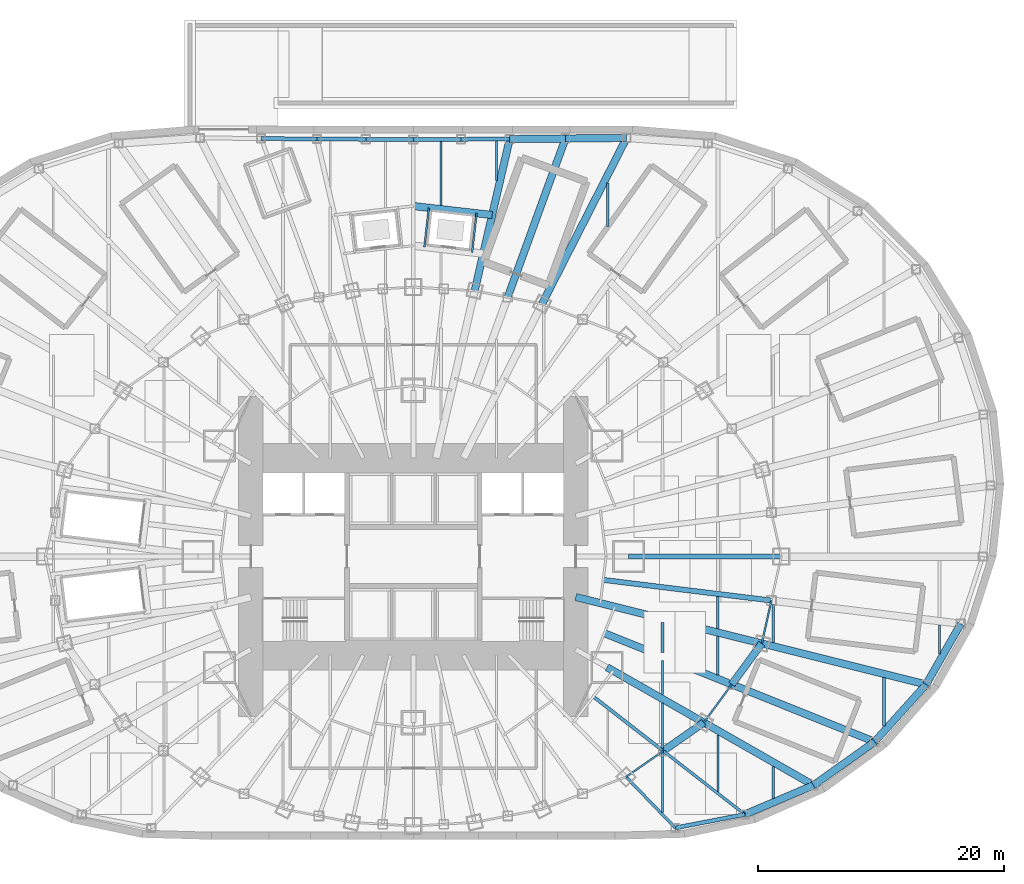
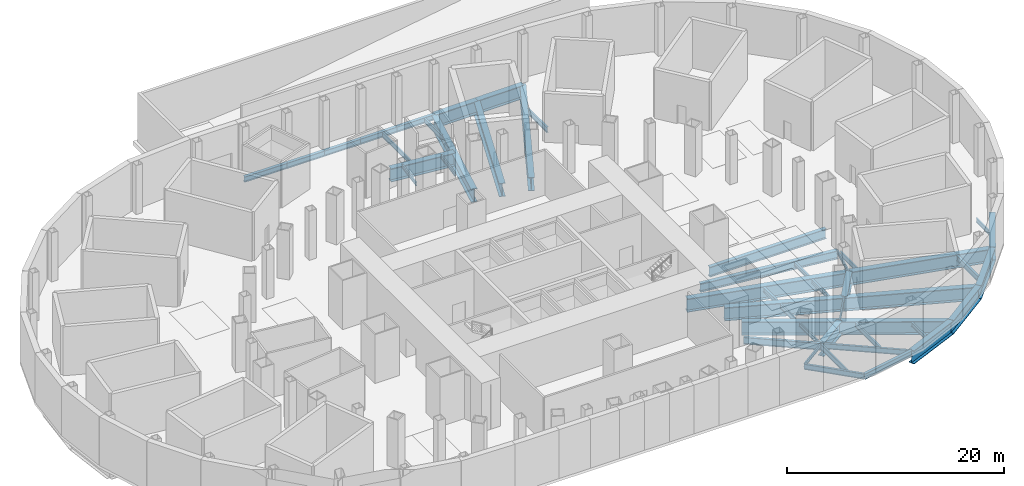
# One storey, part 7 of 19: 48 beams.
"""IFC4 building model written with IfcOpenShell, lengths in metres."""

from ifc_helpers import new_model, si_unit, direction, frame, origin, origin_2d, place, context, subcontext, project, spatial, i_section, extrude, material, material_profile, profile_set, type_object, element, save


model = new_model("IFC4")

# Units and contexts
model_context = context("Model", 3, precision=1e-05, world=origin(), true_north=direction((0.0, 1.0)))
body_context = subcontext(model_context, "Body", "Model", "MODEL_VIEW")
ifc_project = project(units=[si_unit("LENGTHUNIT", "METRE"), si_unit("AREAUNIT", "SQUARE_METRE"), si_unit("VOLUMEUNIT", "CUBIC_METRE"), si_unit("PLANEANGLEUNIT", "RADIAN"), si_unit("MASSUNIT", "GRAM", prefix="KILO")], contexts=[model_context])

# Site, building, storey
site_placement = place(None, origin())
site = spatial("IfcSite", under=ifc_project, at=site_placement, CompositionType="ELEMENT")
building_placement = place(site_placement, origin())
building = spatial("IfcBuilding", under=site, at=building_placement, Name="Lantaw Convention Tower", CompositionType="ELEMENT")
storey_placement = place(building_placement, frame((0.0, 0.0, -5.5)))
storey = spatial("IfcBuildingStorey", under=building, at=storey_placement, Name="B1", CompositionType="ELEMENT", Elevation=-5.5)

# Beams
ifc_material_1 = material(Name="Steel ASTM A572 Grade 50", Category="steel")
ifc_material_profile_1 = material_profile(ifc_material_1, i_section(OverallWidth=0.60009765625, OverallDepth=1.5, WebThickness=0.02490234375, FlangeThickness=0.06005859375, at=origin_2d()), Name="PG1500X600X25X60")
ifc_profile_set_1 = profile_set([ifc_material_profile_1], Name="Steel ASTM A572 Grade 50")
beam_type_1 = type_object("IfcBeamType", Name="Beam E PG1500X600X25X60", PredefinedType="SPANDREL", material=ifc_profile_set_1)
beam_1_placement = place(storey_placement, frame((20.308837890625, -15.794189453125, -1.050048828125), z_axis=(0.81942291701, 0.57318939547, 0.0), x_axis=(-0.57318939547, 0.81942291701, 0.0)))
element("IfcBeam", 1, at=beam_1_placement, inside=storey, type_object=beam_type_1, Name="Edge beam 22", PredefinedType="SPANDREL", context=body_context, shape_type="SweptSolid", body=[
    extrude(i_section(OverallWidth=0.60009765625, OverallDepth=1.5, WebThickness=0.02490234375, FlangeThickness=0.06005859375, at=origin_2d()), origin(), (0.0, 0.0, 1.0), 4.0224609375),
])
beam_2_placement = place(storey_placement, frame((25.8779296875, -10.388427734375, -1.050048828125), z_axis=(0.591255937291, 0.806483984105, 0.0), x_axis=(-0.806483984105, 0.591255937291, 0.0)))
element("IfcBeam", 2, at=beam_2_placement, inside=storey, type_object=beam_type_1, Name="Edge beam 23", PredefinedType="SPANDREL", context=body_context, shape_type="SweptSolid", body=[
    extrude(i_section(OverallWidth=0.60009765625, OverallDepth=1.5, WebThickness=0.02490234375, FlangeThickness=0.06005859375, at=origin_2d()), origin(), (0.0, 0.0, 1.0), 4.126708984375),
])
beam_3_placement = place(storey_placement, frame((17.333984375, 34.019775390625, -1.050048828125), z_axis=(-0.999942166471, -0.010754706535, 0.0), x_axis=(0.010754706535, -0.999942166471, 0.0)))
element("IfcBeam", 3, at=beam_3_placement, inside=storey, type_object=beam_type_1, Name="Podium edge beam R04", PredefinedType="SPANDREL", context=body_context, shape_type="SweptSolid", body=[
    extrude(i_section(OverallWidth=0.60009765625, OverallDepth=1.5, WebThickness=0.02490234375, FlangeThickness=0.06005859375, at=origin_2d()), origin(), (0.0, 0.0, 1.0), 4.971435546875),
])
beam_4_placement = place(storey_placement, frame((12.36279296875, 33.96630859375, -1.050048828125), z_axis=(-0.999964655563, -0.00840759331, 0.0), x_axis=(0.00840759331, -0.999964655563, 0.0)))
element("IfcBeam", 4, at=beam_4_placement, inside=storey, type_object=beam_type_1, Name="Podium edge beam B04", PredefinedType="SPANDREL", context=body_context, shape_type="SweptSolid", body=[
    extrude(i_section(OverallWidth=0.60009765625, OverallDepth=1.5, WebThickness=0.02490234375, FlangeThickness=0.06005859375, at=origin_2d()), origin(), (0.0, 0.0, 1.0), 4.530029296875),
])
beam_5_placement = place(storey_placement, frame((26.94287109375, -20.95361328125, -1.050048828125), z_axis=(0.920324392734, 0.391155994636, 0.0), x_axis=(-0.391155994636, 0.920324392734, 0.0)))
element("IfcBeam", 5, at=beam_5_placement, inside=storey, type_object=beam_type_1, Name="Podium edge beam B21", PredefinedType="SPANDREL", context=body_context, shape_type="SweptSolid", body=[
    extrude(i_section(OverallWidth=0.60009765625, OverallDepth=1.5, WebThickness=0.02490234375, FlangeThickness=0.06005859375, at=origin_2d()), origin(), (0.0, 0.0, 1.0), 6.060546875),
])
beam_6_placement = place(storey_placement, frame((32.5205078125, -18.5830078125, -1.050048828125), z_axis=(0.814722795246, 0.579850641895, 0.0), x_axis=(-0.579850641895, 0.814722795246, 0.0)))
element("IfcBeam", 6, at=beam_6_placement, inside=storey, type_object=beam_type_1, Name="Podium edge beam R22", PredefinedType="SPANDREL", context=body_context, shape_type="SweptSolid", body=[
    extrude(i_section(OverallWidth=0.60009765625, OverallDepth=1.5, WebThickness=0.02490234375, FlangeThickness=0.06005859375, at=origin_2d()), origin(), (0.0, 0.0, 1.0), 6.095458984375),
])
beam_7_placement = place(storey_placement, frame((37.486572265625, -15.048583984375, -1.050048828125), z_axis=(0.668363614772, 0.74383471178, 0.0), x_axis=(-0.74383471178, 0.668363614772, 0.0)))
element("IfcBeam", 7, at=beam_7_placement, inside=storey, type_object=beam_type_1, Name="Podium edge beam B22", PredefinedType="SPANDREL", context=body_context, shape_type="SweptSolid", body=[
    extrude(i_section(OverallWidth=0.60009765625, OverallDepth=1.5, WebThickness=0.02490234375, FlangeThickness=0.06005859375, at=origin_2d()), origin(), (0.0, 0.0, 1.0), 6.2626953125),
])
beam_8_placement = place(storey_placement, frame((41.67236328125, -10.39013671875, -1.050048828125), z_axis=(0.496180629465, 0.868219317306, 0.0), x_axis=(-0.868219317306, 0.496180629465, 0.0)))
element("IfcBeam", 8, at=beam_8_placement, inside=storey, type_object=beam_type_1, Name="Podium edge beam R23", PredefinedType="SPANDREL", context=body_context, shape_type="SweptSolid", body=[
    extrude(i_section(OverallWidth=0.60009765625, OverallDepth=1.5, WebThickness=0.02490234375, FlangeThickness=0.06005859375, at=origin_2d()), origin(), (0.0, 0.0, 1.0), 5.67578125),
])
ifc_material_2 = material(Name="Steel ASTM A992", Category="steel")
ifc_material_profile_2 = material_profile(ifc_material_2, i_section(OverallWidth=0.140380859375, OverallDepth=0.40380859375, WebThickness=0.007080078125, FlangeThickness=0.01123046875, FilletRadius=0.01025390625, at=origin_2d()), Name="W16X31")
ifc_profile_set_2 = profile_set([ifc_material_profile_2], Name="Steel ASTM A992")
beam_type_2 = type_object("IfcBeamType", Name="Beam E W16X31", PredefinedType="SPANDREL", material=ifc_profile_set_2)
beam_9_placement = place(storey_placement, frame((17.290771484375, -17.9052734375, -0.501953125), z_axis=(0.819431174801, 0.573177590075, 0.0), x_axis=(-0.573177590075, 0.819431174801, 0.0)))
element("IfcBeam", 9, at=beam_9_placement, inside=storey, type_object=beam_type_2, Name="Edge beam 22", PredefinedType="SPANDREL", context=body_context, shape_type="SweptSolid", body=[
    extrude(i_section(OverallWidth=0.140380859375, OverallDepth=0.40380859375, WebThickness=0.007080078125, FlangeThickness=0.01123046875, FilletRadius=0.01025390625, at=origin_2d()), origin(), (0.0, 0.0, 1.0), 3.68310546875),
])
beam_10_placement = place(storey_placement, frame((23.60498046875, -13.488525390625, -0.501953125), z_axis=(0.591286566758, 0.806461527893, 0.0), x_axis=(-0.806461527893, 0.591286566758, 0.0)))
element("IfcBeam", 10, at=beam_10_placement, inside=storey, type_object=beam_type_2, Name="Edge beam 23", PredefinedType="SPANDREL", context=body_context, shape_type="SweptSolid", body=[
    extrude(i_section(OverallWidth=0.140380859375, OverallDepth=0.40380859375, WebThickness=0.007080078125, FlangeThickness=0.01123046875, FilletRadius=0.01025390625, at=origin_2d()), origin(), (0.0, 0.0, 1.0), 3.843994140625),
])
beam_11_placement = place(storey_placement, frame((28.31787109375, -7.060302734375, -0.501953125), z_axis=(0.218673326171, 0.97579812278, 0.0), x_axis=(-0.97579812278, 0.218673326171, 0.0)))
element("IfcBeam", 11, at=beam_11_placement, inside=storey, type_object=beam_type_2, Name="Edge beam 24", PredefinedType="SPANDREL", context=body_context, shape_type="SweptSolid", body=[
    extrude(i_section(OverallWidth=0.140380859375, OverallDepth=0.40380859375, WebThickness=0.007080078125, FlangeThickness=0.01123046875, FilletRadius=0.01025390625, at=origin_2d()), origin(), (0.0, 0.0, 1.0), 3.57373046875),
])
ifc_material_profile_3 = material_profile(ifc_material_2, i_section(OverallWidth=0.3251953125, OverallDepth=0.612060546875, WebThickness=0.0126953125, FlangeThickness=0.01904296875, FilletRadius=0.0126953125, at=origin_2d()), Name="W24X104")
ifc_profile_set_3 = profile_set([ifc_material_profile_3], Name="Steel ASTM A992")
beam_type_3 = type_object("IfcBeamType", Name="Beam E W24X104", PredefinedType="SPANDREL", material=ifc_profile_set_3)
beam_12_placement = place(storey_placement, frame((7.8330078125, 33.92822265625, -0.60595703125), z_axis=(-0.999985686096, -0.005350476918, 0.0), x_axis=(0.005350476918, -0.999985686096, 0.0)))
element("IfcBeam", 12, at=beam_12_placement, inside=storey, type_object=beam_type_3, Name="Podium edge beam R05", PredefinedType="SPANDREL", context=body_context, shape_type="SweptSolid", body=[
    extrude(i_section(OverallWidth=0.3251953125, OverallDepth=0.612060546875, WebThickness=0.0126953125, FlangeThickness=0.01904296875, FilletRadius=0.0126953125, at=origin_2d()), origin(), (0.0, 0.0, 1.0), 3.9697265625),
])
for number, where, z_axis, x_axis, name in (
    (13, (3.86328125, 33.906982421875, -0.60595703125), (-0.999998320684, -0.001832656174, 0.0), (0.001832656174, -0.999998320684, 0.0), "Podium edge beam B05"),
    (14, (0.0, 33.89990234375, -0.60595703125), (-0.999998320684, 0.001832656174, 0.0), (-0.001832656174, -0.999998320684, 0.0), "Podium edge beam R06"),
):
    element("IfcBeam", number, at=place(storey_placement, frame(where, z_axis=z_axis, x_axis=x_axis)), inside=storey, type_object=beam_type_3, Name=name, PredefinedType="SPANDREL", context=body_context, shape_type="SweptSolid", body=[
        extrude(i_section(OverallWidth=0.3251953125, OverallDepth=0.612060546875, WebThickness=0.0126953125, FlangeThickness=0.01904296875, FilletRadius=0.0126953125, at=origin_2d()), origin(), (0.0, 0.0, 1.0), 3.86328125),
    ])
beam_13_placement = place(storey_placement, frame((-3.86328125, 33.906982421875, -0.60595703125), z_axis=(-0.999985686096, 0.005350476918, 0.0), x_axis=(-0.005350476918, -0.999985686096, 0.0)))
element("IfcBeam", 15, at=beam_13_placement, inside=storey, type_object=beam_type_3, Name="Podium edge beam B06", PredefinedType="SPANDREL", context=body_context, shape_type="SweptSolid", body=[
    extrude(i_section(OverallWidth=0.3251953125, OverallDepth=0.612060546875, WebThickness=0.0126953125, FlangeThickness=0.01904296875, FilletRadius=0.0126953125, at=origin_2d()), origin(), (0.0, 0.0, 1.0), 3.9697265625),
])
beam_14_placement = place(storey_placement, frame((-7.8330078125, 33.92822265625, -0.60595703125), z_axis=(-0.999964655563, 0.00840759331, 0.0), x_axis=(-0.00840759331, -0.999964655563, 0.0)))
element("IfcBeam", 16, at=beam_14_placement, inside=storey, type_object=beam_type_3, Name="Podium edge beam R07", PredefinedType="SPANDREL", context=body_context, shape_type="SweptSolid", body=[
    extrude(i_section(OverallWidth=0.3251953125, OverallDepth=0.612060546875, WebThickness=0.0126953125, FlangeThickness=0.01904296875, FilletRadius=0.0126953125, at=origin_2d()), origin(), (0.0, 0.0, 1.0), 4.530029296875),
])
beam_15_placement = place(storey_placement, frame((21.290771484375, -22.04736328125, -0.60595703125), z_axis=(0.981786485539, 0.18998762279, 0.0), x_axis=(-0.18998762279, 0.981786485539, 0.0)))
element("IfcBeam", 17, at=beam_15_placement, inside=storey, type_object=beam_type_3, Name="Podium edge beam R21", PredefinedType="SPANDREL", context=body_context, shape_type="SweptSolid", body=[
    extrude(i_section(OverallWidth=0.3251953125, OverallDepth=0.612060546875, WebThickness=0.0126953125, FlangeThickness=0.01904296875, FilletRadius=0.0126953125, at=origin_2d()), origin(), (0.0, 0.0, 1.0), 5.7568359375),
])
ifc_material_profile_4 = material_profile(ifc_material_1, i_section(OverallWidth=0.60009765625, OverallDepth=1.5, WebThickness=0.02490234375, FlangeThickness=0.06005859375, at=origin_2d()), Name="PG1500X600X25X60")
ifc_profile_set_4 = profile_set([ifc_material_profile_4], Name="Steel ASTM A572 Grade 50")
beam_type_4 = type_object("IfcBeamType", Name="Beam G PG1500X600X25X60", PredefinedType="BEAM", material=ifc_profile_set_4)
beam_16_placement = place(storey_placement, frame((15.75, -9.0, -1.050048828125), z_axis=(0.868244802791, -0.496136032179, 0.0), x_axis=(0.496136032179, 0.868244802791, 0.0)))
element("IfcBeam", 18, at=beam_16_placement, inside=storey, type_object=beam_type_4, Name="Floor girder on ray 23", PredefinedType="BEAM", context=body_context, shape_type="SweptSolid", body=[
    extrude(i_section(OverallWidth=0.60009765625, OverallDepth=1.5, WebThickness=0.02490234375, FlangeThickness=0.06005859375, at=origin_2d()), origin(), (0.0, 0.0, 1.0), 9.046875),
])
beam_17_placement = place(storey_placement, frame((15.52001953125, -6.230224609375, -1.050048828125), z_axis=(0.928011337871, -0.37255195179, 0.0), x_axis=(0.37255195179, 0.928011337871, 0.0)))
element("IfcBeam", 19, at=beam_17_placement, inside=storey, type_object=beam_type_4, Name="Floor girder on bisector 23", PredefinedType="BEAM", context=body_context, shape_type="SweptSolid", body=[
    extrude(i_section(OverallWidth=0.60009765625, OverallDepth=1.5, WebThickness=0.02490234375, FlangeThickness=0.06005859375, at=origin_2d()), origin(), (0.0, 0.0, 1.0), 11.161376953125),
])
beam_18_placement = place(storey_placement, frame((13.199951171875, -3.291015625, -1.050048828125), z_axis=(0.970296233567, -0.241919860957, 0.0), x_axis=(0.241919860957, 0.970296233567, 0.0)))
element("IfcBeam", 20, at=beam_18_placement, inside=storey, type_object=beam_type_4, Name="Floor girder on ray 24", PredefinedType="BEAM", context=body_context, shape_type="SweptSolid", body=[
    extrude(i_section(OverallWidth=0.60009765625, OverallDepth=1.5, WebThickness=0.02490234375, FlangeThickness=0.06005859375, at=origin_2d()), origin(), (0.0, 0.0, 1.0), 15.580810546875),
])
ifc_material_profile_5 = material_profile(ifc_material_2, i_section(OverallWidth=0.2666015625, OverallDepth=0.76953125, WebThickness=0.015625, FlangeThickness=0.025390625, FilletRadius=0.0126953125, at=origin_2d()), Name="W30X132")
ifc_profile_set_5 = profile_set([ifc_material_profile_5], Name="Steel ASTM A992")
beam_type_5 = type_object("IfcBeamType", Name="Beam G W30X132", PredefinedType="BEAM", material=ifc_profile_set_5)
beam_19_placement = place(storey_placement, frame((14.628173828125, -11.37646484375, -0.684814453125), z_axis=(0.789390578332, -0.613891289106, 0.0), x_axis=(0.613891289106, 0.789390578332, 0.0)))
element("IfcBeam", 21, at=beam_19_placement, inside=storey, type_object=beam_type_5, Name="Floor girder on bisector 22", PredefinedType="BEAM", context=body_context, shape_type="SweptSolid", body=[
    extrude(i_section(OverallWidth=0.2666015625, OverallDepth=0.76953125, WebThickness=0.015625, FlangeThickness=0.025390625, FilletRadius=0.0126953125, at=origin_2d()), origin(), (0.0, 0.0, 1.0), 7.1962890625),
])
ifc_material_profile_6 = material_profile(ifc_material_2, i_section(OverallWidth=0.421630859375, OverallDepth=0.937255859375, WebThickness=0.0224609375, FlangeThickness=0.039794921875, FilletRadius=0.02001953125, at=origin_2d()), Name="W36X282")
ifc_profile_set_6 = profile_set([ifc_material_profile_6], Name="Steel ASTM A992")
beam_type_6 = type_object("IfcBeamType", Name="Beam G W36X282", PredefinedType="BEAM", material=ifc_profile_set_6)
beam_20_placement = place(storey_placement, frame((15.433349609375, -1.89501953125, -0.7685546875), z_axis=(0.99254612715, -0.121869542874, 0.0), x_axis=(0.121869542874, 0.99254612715, 0.0)))
element("IfcBeam", 22, at=beam_20_placement, inside=storey, type_object=beam_type_6, Name="Floor girder on bisector 24", PredefinedType="BEAM", context=body_context, shape_type="SweptSolid", body=[
    extrude(i_section(OverallWidth=0.421630859375, OverallDepth=0.937255859375, WebThickness=0.0224609375, FlangeThickness=0.039794921875, FilletRadius=0.02001953125, at=origin_2d()), origin(), (0.0, 0.0, 1.0), 13.7685546875),
])
ifc_material_profile_7 = material_profile(ifc_material_2, i_section(OverallWidth=0.40380859375, OverallDepth=1.11767578125, WebThickness=0.026123046875, FlangeThickness=0.044921875, FilletRadius=0.02001953125, at=origin_2d()), Name="W44X335")
ifc_profile_set_7 = profile_set([ifc_material_profile_7], Name="Steel ASTM A992")
beam_type_7 = type_object("IfcBeamType", Name="Beam G W44X335", PredefinedType="BEAM", material=ifc_profile_set_7)
beam_21_placement = place(storey_placement, frame((17.5, 0.0, -0.85888671875), z_axis=(1.0, 0.0, 0.0), x_axis=(0.0, 1.0, 0.0)))
element("IfcBeam", 23, at=beam_21_placement, inside=storey, type_object=beam_type_7, Name="Floor girder on ray 1", PredefinedType="BEAM", context=body_context, shape_type="SweptSolid", body=[
    extrude(i_section(OverallWidth=0.40380859375, OverallDepth=1.11767578125, WebThickness=0.026123046875, FlangeThickness=0.044921875, FilletRadius=0.02001953125, at=origin_2d()), origin(), (0.0, 0.0, 1.0), 12.39990234375),
])
ifc_material_profile_8 = material_profile(ifc_material_2, i_section(OverallWidth=0.15234375, OverallDepth=0.449462890625, WebThickness=0.007568359375, FlangeThickness=0.0107421875, FilletRadius=0.01025390625, at=origin_2d()), Name="W18X35")
ifc_profile_set_8 = profile_set([ifc_material_profile_8], Name="Steel ASTM A992")
beam_type_8 = type_object("IfcBeamType", Name="Beam J W18X35", PredefinedType="JOIST", material=ifc_profile_set_8)
beam_22_placement = place(storey_placement, frame((20.25, -15.57958984375, -0.52490234375), z_axis=(0.0, 1.0, 0.0), x_axis=(-1.0, 0.0, 0.0)))
element("IfcBeam", 24, at=beam_22_placement, inside=storey, type_object=beam_type_8, Name="Floor joist", PredefinedType="JOIST", context=body_context, shape_type="SweptSolid", body=[
    extrude(i_section(OverallWidth=0.15234375, OverallDepth=0.449462890625, WebThickness=0.007568359375, FlangeThickness=0.0107421875, FilletRadius=0.01025390625, at=origin_2d()), origin(), (0.0, 0.0, 1.0), 3.66259765625),
])
beam_23_placement = place(storey_placement, frame((42.75, -7.89990234375, -0.52490234375), z_axis=(0.0, 1.0, 0.0), x_axis=(-1.0, 0.0, 0.0)))
element("IfcBeam", 25, at=beam_23_placement, inside=storey, type_object=beam_type_8, Name="Floor joist", PredefinedType="JOIST", context=body_context, shape_type="SweptSolid", body=[
    extrude(i_section(OverallWidth=0.15234375, OverallDepth=0.449462890625, WebThickness=0.007568359375, FlangeThickness=0.0107421875, FilletRadius=0.01025390625, at=origin_2d()), origin(), (0.0, 0.0, 1.0), 2.3486328125),
])
ifc_material_profile_9 = material_profile(ifc_material_2, i_section(OverallWidth=0.1904296875, OverallDepth=0.457275390625, WebThickness=0.009033203125, FlangeThickness=0.014404296875, FilletRadius=0.01025390625, at=origin_2d()), Name="W18X50")
ifc_profile_set_9 = profile_set([ifc_material_profile_9], Name="Steel ASTM A992")
beam_type_9 = type_object("IfcBeamType", Name="Beam J W18X50", PredefinedType="JOIST", material=ifc_profile_set_9)
beam_24_placement = place(storey_placement, frame((24.75, -9.6123046875, -0.528564453125), z_axis=(0.0, 1.0, 0.0), x_axis=(-1.0, 0.0, 0.0)))
element("IfcBeam", 26, at=beam_24_placement, inside=storey, type_object=beam_type_9, Name="Floor joist", PredefinedType="JOIST", context=body_context, shape_type="SweptSolid", body=[
    extrude(i_section(OverallWidth=0.1904296875, OverallDepth=0.457275390625, WebThickness=0.009033203125, FlangeThickness=0.014404296875, FilletRadius=0.01025390625, at=origin_2d()), origin(), (0.0, 0.0, 1.0), 3.13232421875),
])
beam_25_placement = place(storey_placement, frame((24.75, -5.861572265625, -0.528564453125), z_axis=(0.0, 1.0, 0.0), x_axis=(-1.0, 0.0, 0.0)))
element("IfcBeam", 27, at=beam_25_placement, inside=storey, type_object=beam_type_9, Name="Floor joist", PredefinedType="JOIST", context=body_context, shape_type="SweptSolid", body=[
    extrude(i_section(OverallWidth=0.1904296875, OverallDepth=0.457275390625, WebThickness=0.009033203125, FlangeThickness=0.014404296875, FilletRadius=0.01025390625, at=origin_2d()), origin(), (0.0, 0.0, 1.0), 2.6103515625),
])
beam_26_placement = place(storey_placement, frame((29.25, -19.647216796875, -0.528564453125), z_axis=(0.0, 1.0, 0.0), x_axis=(-1.0, 0.0, 0.0)))
element("IfcBeam", 28, at=beam_26_placement, inside=storey, type_object=beam_type_9, Name="Floor joist", PredefinedType="JOIST", context=body_context, shape_type="SweptSolid", body=[
    extrude(i_section(OverallWidth=0.1904296875, OverallDepth=0.457275390625, WebThickness=0.009033203125, FlangeThickness=0.014404296875, FilletRadius=0.01025390625, at=origin_2d()), origin(), (0.0, 0.0, 1.0), 2.58740234375),
])
ifc_material_profile_10 = material_profile(ifc_material_2, i_section(OverallWidth=0.1650390625, OverallDepth=0.52587890625, WebThickness=0.0087890625, FlangeThickness=0.011474609375, FilletRadius=0.0126953125, at=origin_2d()), Name="W21X44")
ifc_profile_set_10 = profile_set([ifc_material_profile_10], Name="Steel ASTM A992")
beam_type_10 = type_object("IfcBeamType", Name="Beam J W21X44", PredefinedType="JOIST", material=ifc_profile_set_10)
beam_27_placement = place(storey_placement, frame((20.25, -11.225830078125, -0.56298828125), z_axis=(0.0, 1.0, 0.0), x_axis=(-1.0, 0.0, 0.0)))
element("IfcBeam", 29, at=beam_27_placement, inside=storey, type_object=beam_type_10, Name="Floor joist", PredefinedType="JOIST", context=body_context, shape_type="SweptSolid", body=[
    extrude(i_section(OverallWidth=0.1650390625, OverallDepth=0.52587890625, WebThickness=0.0087890625, FlangeThickness=0.011474609375, FilletRadius=0.0126953125, at=origin_2d()), origin(), (0.0, 0.0, 1.0), 2.7734375),
])
beam_28_placement = place(storey_placement, frame((24.75, -19.10400390625, -0.56298828125), z_axis=(0.0, 1.0, 0.0), x_axis=(-1.0, 0.0, 0.0)))
element("IfcBeam", 30, at=beam_28_placement, inside=storey, type_object=beam_type_10, Name="Floor joist", PredefinedType="JOIST", context=body_context, shape_type="SweptSolid", body=[
    extrude(i_section(OverallWidth=0.1650390625, OverallDepth=0.52587890625, WebThickness=0.0087890625, FlangeThickness=0.011474609375, FilletRadius=0.0126953125, at=origin_2d()), origin(), (0.0, 0.0, 1.0), 4.61572265625),
])
beam_29_placement = place(storey_placement, frame((29.25, -6.983642578125, -0.56298828125), z_axis=(0.0, 1.0, 0.0), x_axis=(-1.0, 0.0, 0.0)))
element("IfcBeam", 31, at=beam_29_placement, inside=storey, type_object=beam_type_10, Name="Floor joist", PredefinedType="JOIST", context=body_context, shape_type="SweptSolid", body=[
    extrude(i_section(OverallWidth=0.1650390625, OverallDepth=0.52587890625, WebThickness=0.0087890625, FlangeThickness=0.011474609375, FilletRadius=0.0126953125, at=origin_2d()), origin(), (0.0, 0.0, 1.0), 3.08984375),
])
ifc_material_profile_11 = material_profile(ifc_material_2, i_section(OverallWidth=0.165771484375, OverallDepth=0.5283203125, WebThickness=0.009765625, FlangeThickness=0.013671875, FilletRadius=0.012939453125, at=origin_2d()), Name="W21X50")
ifc_profile_set_11 = profile_set([ifc_material_profile_11], Name="Steel ASTM A992")
beam_type_11 = type_object("IfcBeamType", Name="Beam J W21X50", PredefinedType="JOIST", material=ifc_profile_set_11)
beam_30_placement = place(storey_placement, frame((2.25, 28.528564453125, -0.564208984375), z_axis=(0.0, 1.0, 0.0), x_axis=(-1.0, 0.0, 0.0)))
element("IfcBeam", 32, at=beam_30_placement, inside=storey, type_object=beam_type_11, Name="Floor joist", PredefinedType="JOIST", context=body_context, shape_type="SweptSolid", body=[
    extrude(i_section(OverallWidth=0.165771484375, OverallDepth=0.5283203125, WebThickness=0.009765625, FlangeThickness=0.013671875, FilletRadius=0.012939453125, at=origin_2d()), origin(), (0.0, 0.0, 1.0), 5.212890625),
])
beam_31_placement = place(storey_placement, frame((6.75, 30.571044921875, -0.564208984375), z_axis=(0.0, 1.0, 0.0), x_axis=(-1.0, 0.0, 0.0)))
element("IfcBeam", 33, at=beam_31_placement, inside=storey, type_object=beam_type_11, Name="Floor joist", PredefinedType="JOIST", context=body_context, shape_type="SweptSolid", body=[
    extrude(i_section(OverallWidth=0.165771484375, OverallDepth=0.5283203125, WebThickness=0.009765625, FlangeThickness=0.013671875, FilletRadius=0.012939453125, at=origin_2d()), origin(), (0.0, 0.0, 1.0), 3.188720703125),
])
ifc_material_profile_12 = material_profile(ifc_material_2, i_section(OverallWidth=0.2099609375, OverallDepth=0.535888671875, WebThickness=0.010986328125, FlangeThickness=0.017333984375, FilletRadius=0.012939453125, at=origin_2d()), Name="W21X68")
ifc_profile_set_12 = profile_set([ifc_material_profile_12], Name="Steel ASTM A992")
beam_type_12 = type_object("IfcBeamType", Name="Beam J W21X68", PredefinedType="JOIST", material=ifc_profile_set_12)
beam_32_placement = place(storey_placement, frame((20.25, -7.805908203125, -0.56787109375), z_axis=(0.0, 1.0, 0.0), x_axis=(-1.0, 0.0, 0.0)))
element("IfcBeam", 34, at=beam_32_placement, inside=storey, type_object=beam_type_12, Name="Floor joist", PredefinedType="JOIST", context=body_context, shape_type="SweptSolid", body=[
    extrude(i_section(OverallWidth=0.2099609375, OverallDepth=0.535888671875, WebThickness=0.010986328125, FlangeThickness=0.017333984375, FilletRadius=0.012939453125, at=origin_2d()), origin(), (0.0, 0.0, 1.0), 2.44775390625),
])
ifc_material_profile_13 = material_profile(ifc_material_2, i_section(OverallWidth=0.177978515625, OverallDepth=0.599365234375, WebThickness=0.010009765625, FlangeThickness=0.012939453125, FilletRadius=0.012939453125, at=origin_2d()), Name="W24X55")
ifc_profile_set_13 = profile_set([ifc_material_profile_13], Name="Steel ASTM A992")
beam_type_13 = type_object("IfcBeamType", Name="Beam J W24X55", PredefinedType="JOIST", material=ifc_profile_set_13)
beam_33_placement = place(storey_placement, frame((15.800048828125, 26.80029296875, -0.599609375), z_axis=(0.0, 1.0, 0.0), x_axis=(-1.0, 0.0, 0.0)))
element("IfcBeam", 35, at=beam_33_placement, inside=storey, type_object=beam_type_13, Name="Floor joist", PredefinedType="JOIST", context=body_context, shape_type="SweptSolid", body=[
    extrude(i_section(OverallWidth=0.177978515625, OverallDepth=0.599365234375, WebThickness=0.010009765625, FlangeThickness=0.012939453125, FilletRadius=0.012939453125, at=origin_2d()), origin(), (0.0, 0.0, 1.0), 3.548095703125),
])
beam_34_placement = place(storey_placement, frame((20.25, -20.805419921875, -0.599609375), z_axis=(0.0, 1.0, 0.0), x_axis=(-1.0, 0.0, 0.0)))
element("IfcBeam", 36, at=beam_34_placement, inside=storey, type_object=beam_type_13, Name="Floor joist", PredefinedType="JOIST", context=body_context, shape_type="SweptSolid", body=[
    extrude(i_section(OverallWidth=0.177978515625, OverallDepth=0.599365234375, WebThickness=0.010009765625, FlangeThickness=0.012939453125, FilletRadius=0.012939453125, at=origin_2d()), origin(), (0.0, 0.0, 1.0), 4.884521484375),
])
ifc_material_profile_14 = material_profile(ifc_material_2, i_section(OverallWidth=0.22900390625, OverallDepth=0.612060546875, WebThickness=0.011962890625, FlangeThickness=0.01953125, FilletRadius=0.0126953125, at=origin_2d()), Name="W24X84")
ifc_profile_set_14 = profile_set([ifc_material_profile_14], Name="Steel ASTM A992")
beam_type_14 = type_object("IfcBeamType", Name="Beam J W24X84", PredefinedType="JOIST", material=ifc_profile_set_14)
beam_35_placement = place(storey_placement, frame((38.25, -13.75, -0.60595703125), z_axis=(0.0, 1.0, 0.0), x_axis=(-1.0, 0.0, 0.0)))
element("IfcBeam", 37, at=beam_35_placement, inside=storey, type_object=beam_type_14, Name="Floor joist", PredefinedType="JOIST", context=body_context, shape_type="SweptSolid", body=[
    extrude(i_section(OverallWidth=0.22900390625, OverallDepth=0.612060546875, WebThickness=0.011962890625, FlangeThickness=0.01953125, FilletRadius=0.0126953125, at=origin_2d()), origin(), (0.0, 0.0, 1.0), 3.904052734375),
])
ifc_material_profile_15 = material_profile(ifc_material_1, i_section(OverallWidth=0.60009765625, OverallDepth=1.5, WebThickness=0.02490234375, FlangeThickness=0.06005859375, at=origin_2d()), Name="PG1500X600X25X60")
ifc_profile_set_15 = profile_set([ifc_material_profile_15], Name="Steel ASTM A572 Grade 50")
beam_type_15 = type_object("IfcBeamType", Name="Beam PG PG1500X600X25X60", PredefinedType="BEAM", material=ifc_profile_set_15)
beam_36_placement = place(storey_placement, frame((10.462646484375, 20.533935546875, -1.050048828125), z_axis=(0.453988364005, 0.891007612396, 0.0), x_axis=(-0.891007612396, 0.453988364005, 0.0)))
element("IfcBeam", 38, at=beam_36_placement, inside=storey, type_object=beam_type_15, Name="Podium girder PR05", PredefinedType="BEAM", context=body_context, shape_type="SweptSolid", body=[
    extrude(i_section(OverallWidth=0.60009765625, OverallDepth=1.5, WebThickness=0.02490234375, FlangeThickness=0.06005859375, at=origin_2d()), origin(), (0.0, 0.0, 1.0), 15.135498046875),
])
beam_37_placement = place(storey_placement, frame((4.986328125, 21.59814453125, -1.050048828125), z_axis=(0.224955319834, 0.974369080009, 0.0), x_axis=(-0.974369080009, 0.224955319834, 0.0)))
element("IfcBeam", 39, at=beam_37_placement, inside=storey, type_object=beam_type_15, Name="Podium girder PR06", PredefinedType="BEAM", context=body_context, shape_type="SweptSolid", body=[
    extrude(i_section(OverallWidth=0.60009765625, OverallDepth=1.5, WebThickness=0.02490234375, FlangeThickness=0.06005859375, at=origin_2d()), origin(), (0.0, 0.0, 1.0), 12.654541015625),
])
beam_38_placement = place(storey_placement, frame((23.60498046875, -13.488525390625, -1.050048828125), z_axis=(0.868247531483, -0.4961312569, 0.0), x_axis=(0.4961312569, 0.868247531483, 0.0)))
element("IfcBeam", 40, at=beam_38_placement, inside=storey, type_object=beam_type_15, Name="Podium girder PR23", PredefinedType="BEAM", context=body_context, shape_type="SweptSolid", body=[
    extrude(i_section(OverallWidth=0.60009765625, OverallDepth=1.5, WebThickness=0.02490234375, FlangeThickness=0.06005859375, at=origin_2d()), origin(), (0.0, 0.0, 1.0), 10.268310546875),
])
beam_39_placement = place(storey_placement, frame((28.31787109375, -7.060302734375, -1.050048828125), z_axis=(0.97029256898, -0.24193455847, 0.0), x_axis=(0.24193455847, 0.97029256898, 0.0)))
element("IfcBeam", 41, at=beam_39_placement, inside=storey, type_object=beam_type_15, Name="Podium girder PR24", PredefinedType="BEAM", context=body_context, shape_type="SweptSolid", body=[
    extrude(i_section(OverallWidth=0.60009765625, OverallDepth=1.5, WebThickness=0.02490234375, FlangeThickness=0.06005859375, at=origin_2d()), origin(), (0.0, 0.0, 1.0), 13.763427734375),
])
beam_40_placement = place(storey_placement, frame((7.671142578125, 21.076416015625, -1.050048828125), z_axis=(0.342027428416, 0.939689969198, 0.0), x_axis=(-0.939689969198, 0.342027428416, 0.0)))
element("IfcBeam", 42, at=beam_40_placement, inside=storey, type_object=beam_type_15, Name="Podium girder PB05", PredefinedType="BEAM", context=body_context, shape_type="SweptSolid", body=[
    extrude(i_section(OverallWidth=0.60009765625, OverallDepth=1.5, WebThickness=0.02490234375, FlangeThickness=0.06005859375, at=origin_2d()), origin(), (0.0, 0.0, 1.0), 13.71728515625),
])
beam_41_placement = place(storey_placement, frame((25.8779296875, -10.388427734375, -1.050048828125), z_axis=(0.928015644767, -0.372541223313, 0.0), x_axis=(0.372541223313, 0.928015644767, 0.0)))
element("IfcBeam", 43, at=beam_41_placement, inside=storey, type_object=beam_type_15, Name="Podium girder PB23", PredefinedType="BEAM", context=body_context, shape_type="SweptSolid", body=[
    extrude(i_section(OverallWidth=0.60009765625, OverallDepth=1.5, WebThickness=0.02490234375, FlangeThickness=0.06005859375, at=origin_2d()), origin(), (0.0, 0.0, 1.0), 12.509033203125),
])
ifc_material_profile_16 = material_profile(ifc_material_2, i_section(OverallWidth=0.227783203125, OverallDepth=0.60205078125, WebThickness=0.010498046875, FlangeThickness=0.014892578125, FilletRadius=0.012939453125, at=origin_2d()), Name="W24X68")
ifc_profile_set_16 = profile_set([ifc_material_profile_16], Name="Steel ASTM A992")
beam_type_16 = type_object("IfcBeamType", Name="Beam PG W24X68", PredefinedType="BEAM", material=ifc_profile_set_16)
beam_42_placement = place(storey_placement, frame((17.290771484375, -17.9052734375, -0.60107421875), z_axis=(0.694661096328, -0.719337167987, 0.0), x_axis=(0.719337167987, 0.694661096328, 0.0)))
element("IfcBeam", 44, at=beam_42_placement, inside=storey, type_object=beam_type_16, Name="Podium girder PR22", PredefinedType="BEAM", context=body_context, shape_type="SweptSolid", body=[
    extrude(i_section(OverallWidth=0.227783203125, OverallDepth=0.60205078125, WebThickness=0.010498046875, FlangeThickness=0.014892578125, FilletRadius=0.012939453125, at=origin_2d()), origin(), (0.0, 0.0, 1.0), 5.75830078125),
])
beam_43_placement = place(storey_placement, frame((20.308837890625, -15.794189453125, -0.60107421875), z_axis=(0.789374116062, -0.613912457025, 0.0), x_axis=(0.613912457025, 0.789374116062, 0.0)))
element("IfcBeam", 45, at=beam_43_placement, inside=storey, type_object=beam_type_16, Name="Podium girder PB22", PredefinedType="BEAM", context=body_context, shape_type="SweptSolid", body=[
    extrude(i_section(OverallWidth=0.227783203125, OverallDepth=0.60205078125, WebThickness=0.010498046875, FlangeThickness=0.014892578125, FilletRadius=0.012939453125, at=origin_2d()), origin(), (0.0, 0.0, 1.0), 8.404052734375),
])
ifc_material_profile_17 = material_profile(ifc_material_1, i_section(OverallWidth=0.60009765625, OverallDepth=1.5, WebThickness=0.02490234375, FlangeThickness=0.06005859375, at=origin_2d()), Name="PG1500X600X25X60")
ifc_profile_set_17 = profile_set([ifc_material_profile_17], Name="Steel ASTM A572 Grade 50")
beam_type_17 = type_object("IfcBeamType", Name="Beam TR PG1500X600X25X60", PredefinedType="BEAM", material=ifc_profile_set_17)
beam_44_placement = place(storey_placement, frame((0.0, 28.483154296875, -1.050048828125), z_axis=(0.993572392644, -0.113198500762, 0.0), x_axis=(0.113198500762, 0.993572392644, 0.0)))
element("IfcBeam", 46, at=beam_44_placement, inside=storey, type_object=beam_type_17, Name="Opening trimmer beam", PredefinedType="BEAM", context=body_context, shape_type="SweptSolid", body=[
    extrude(i_section(OverallWidth=0.60009765625, OverallDepth=1.5, WebThickness=0.02490234375, FlangeThickness=0.06005859375, at=origin_2d()), origin(), (0.0, 0.0, 1.0), 6.44873046875),
])
ifc_material_profile_18 = material_profile(ifc_material_2, i_section(OverallWidth=0.140380859375, OverallDepth=0.40380859375, WebThickness=0.007080078125, FlangeThickness=0.01123046875, FilletRadius=0.01025390625, at=origin_2d()), Name="W16X31")
ifc_profile_set_18 = profile_set([ifc_material_profile_18], Name="Steel ASTM A992")
beam_type_18 = type_object("IfcBeamType", Name="Beam TR W16X31", PredefinedType="BEAM", material=ifc_profile_set_18)
beam_45_placement = place(storey_placement, frame((0.904052734375, 25.159423828125, -0.501953125), z_axis=(0.113144208648, 0.993578576686, 0.0), x_axis=(-0.993578576686, 0.113144208648, 0.0)))
element("IfcBeam", 47, at=beam_45_placement, inside=storey, type_object=beam_type_18, Name="Opening header beam", PredefinedType="BEAM", context=body_context, shape_type="SweptSolid", body=[
    extrude(i_section(OverallWidth=0.140380859375, OverallDepth=0.40380859375, WebThickness=0.007080078125, FlangeThickness=0.01123046875, FilletRadius=0.01025390625, at=origin_2d()), origin(), (0.0, 0.0, 1.0), 3.199951171875),
])
beam_46_placement = place(storey_placement, frame((5.14111328125, 27.897216796875, -0.501953125), z_axis=(-0.11322810814, -0.993569019005, 0.0), x_axis=(0.993569019005, -0.11322810814, 0.0)))
element("IfcBeam", 48, at=beam_46_placement, inside=storey, type_object=beam_type_18, Name="Opening header beam", PredefinedType="BEAM", context=body_context, shape_type="SweptSolid", body=[
    extrude(i_section(OverallWidth=0.140380859375, OverallDepth=0.40380859375, WebThickness=0.007080078125, FlangeThickness=0.01123046875, FilletRadius=0.01025390625, at=origin_2d()), origin(), (0.0, 0.0, 1.0), 3.19970703125),
])

save(model, "model.ifc")
